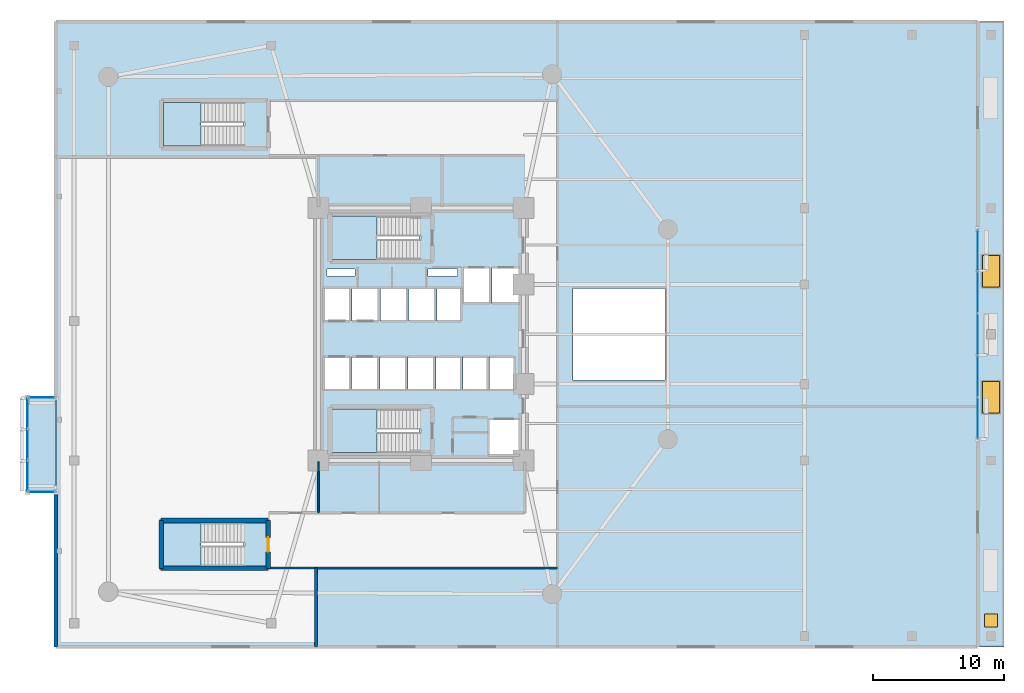
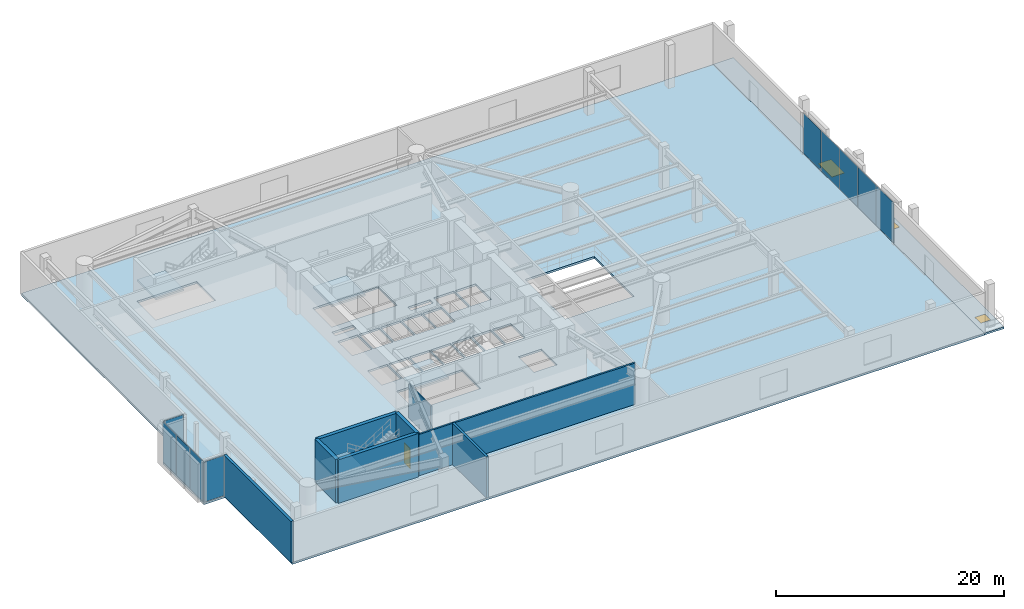
# One storey, part 8 of 16: 10 plates, 8 walls, 7 slabs, 2 doors, 2 windows, 4 openings, 8 elements without a shape of their own.
"""IFC4 building model written with IfcOpenShell, lengths in metres."""

import ifcopenshell
import ifcopenshell.guid

model = None  # the IFC model being written
_history = None  # IfcOwnerHistory: only IFC2X3 demands one
_inside = {}  # id of a spatial element -> (the spatial element, [elements in it])
_under = {}  # id of a project, library or spatial element -> (it, [spatial elements below it])
_declared = {}  # id of a project -> (the project, [libraries it declares])
_typed = {}  # id of a type object -> (the type object, [elements of that type])
_made_of = {}  # id of a material, layer set ... -> (it, [elements and type objects made of it])


def new_model(schema):
    """Start an empty IFC model of exactly this schema.

    Asked for "IFC4X3", IfcOpenShell would pick the latest addendum, in which some entities
    have other attributes; the version numbers below select the first issue.
    IFC2X3 requires an IfcOwnerHistory on every rooted entity: one is made here for all.
    """
    global model, _history
    if schema == "IFC4X3":
        model = ifcopenshell.file(schema_version=(4, 3, 0, 0))
    else:
        model = ifcopenshell.file(schema=schema)
    _inside.clear()
    _under.clear()
    _declared.clear()
    _typed.clear()
    _made_of.clear()
    _history = None
    if model.schema == "IFC2X3":
        org = make("IfcOrganization", Name="unknown")
        user = make(
            "IfcPersonAndOrganization",
            ThePerson=make("IfcPerson", FamilyName="unknown"),
            TheOrganization=org,
        )
        app = make(
            "IfcApplication",
            ApplicationDeveloper=org,
            Version="unknown",
            ApplicationFullName="unknown",
            ApplicationIdentifier="unknown",
        )
        _history = make(
            "IfcOwnerHistory",
            OwningUser=user,
            OwningApplication=app,
            ChangeAction="ADDED",
            CreationDate=0,
        )
    return model


def make(cls, **values):
    """One entity of the class cls with the attributes given. An attribute that is None is left unset."""
    return model.create_entity(
        cls, **{name: value for name, value in values.items() if value is not None}
    )


def rooted(cls, **values):
    """An entity with a GlobalId (a new one), such as an element, a storey or a relation."""
    return make(cls, GlobalId=ifcopenshell.guid.new(), OwnerHistory=_history, **values)


def si_unit(unit_type, name, prefix=None):
    """IfcSIUnit, for example si_unit("LENGTHUNIT", "METRE", prefix="MILLI")."""
    return make("IfcSIUnit", UnitType=unit_type, Prefix=prefix, Name=name)


def assignment(units):
    """IfcUnitAssignment: the units of a project."""
    return None if units is None else make("IfcUnitAssignment", Units=units)


def point(xyz):
    """IfcCartesianPoint."""
    return None if xyz is None else make("IfcCartesianPoint", Coordinates=xyz)


def direction(xyz):
    """IfcDirection."""
    return None if xyz is None else make("IfcDirection", DirectionRatios=xyz)


def frame(location, z_axis=None, x_axis=None):
    """IfcAxis2Placement3D, a coordinate frame: its origin and axes. An axis left out is left unset."""
    return make(
        "IfcAxis2Placement3D",
        Location=point(location),
        Axis=direction(z_axis),
        RefDirection=direction(x_axis),
    )


def frame_2d(location, x_axis=None):
    """IfcAxis2Placement2D, a coordinate frame in the plane: its origin and x axis."""
    return make(
        "IfcAxis2Placement2D", Location=point(location), RefDirection=direction(x_axis)
    )


def origin():
    """The frame at (0, 0, 0) with its axes left unset."""
    return frame((0.0, 0.0, 0.0))


def origin_2d():
    """The frame at (0, 0) in the plane with its x axis left unset."""
    return frame_2d((0.0, 0.0))


def place(relative_to, where):
    """IfcLocalPlacement: puts the frame where relative to a parent placement (None: the world)."""
    return make(
        "IfcLocalPlacement", PlacementRelTo=relative_to, RelativePlacement=where
    )


def context(
    kind, dimensions, precision=None, world=None, true_north=None, identifier=None
):
    """IfcGeometricRepresentationContext, for example the 3D "Model" context."""
    return make(
        "IfcGeometricRepresentationContext",
        ContextIdentifier=identifier,
        ContextType=kind,
        CoordinateSpaceDimension=dimensions,
        Precision=precision,
        WorldCoordinateSystem=world,
        TrueNorth=true_north,
    )


def subcontext(parent, identifier, kind, view, scale=None):
    """IfcGeometricRepresentationSubContext, for example "Body" below "Model"."""
    return make(
        "IfcGeometricRepresentationSubContext",
        ContextIdentifier=identifier,
        ContextType=kind,
        ParentContext=parent,
        TargetScale=scale,
        TargetView=view,
    )


def project(units=None, contexts=None):
    """IfcProject with its units and contexts."""
    return rooted(
        "IfcProject",
        Name="project",
        RepresentationContexts=contexts,
        UnitsInContext=assignment(units),
    )


def spatial(cls, under=None, at=None, **own):
    """A site, building, storey or space (cls), placed at a placement, below another one or the project."""
    s = rooted(cls, ObjectPlacement=at, **own)
    if under is not None:
        _under.setdefault(under.id(), (under, []))[1].append(s)
    return s


def polyline(points):
    """IfcPolyline through the points."""
    return make("IfcPolyline", Points=[point(p) for p in points])


def profile(cls, at=None, kind="AREA", **sizes):
    """A parametric profile (cls). Its sizes go by their IFC names, for example OverallWidth=200.0."""
    return make(cls, ProfileType=kind, Position=at, **sizes)


def rectangle(**sizes):
    """IfcRectangleProfileDef."""
    return profile("IfcRectangleProfileDef", **sizes)


def outline(outer, holes=None, kind="AREA"):
    """IfcArbitraryClosedProfileDef: a profile drawn as a closed curve; with holes, ...WithVoids."""
    if holes is None:
        return make("IfcArbitraryClosedProfileDef", ProfileType=kind, OuterCurve=outer)
    return make(
        "IfcArbitraryProfileDefWithVoids",
        ProfileType=kind,
        OuterCurve=outer,
        InnerCurves=holes,
    )


def extrude(swept, where, along, depth):
    """IfcExtrudedAreaSolid: the profile swept, set in the frame where, extruded along a direction by depth."""
    return make(
        "IfcExtrudedAreaSolid",
        SweptArea=swept,
        Position=where,
        ExtrudedDirection=direction(along),
        Depth=depth,
    )


def shape(context_of_items, identifier, shape_type, items):
    """IfcShapeRepresentation: the items that make up one representation, for example the "Body"."""
    return make(
        "IfcShapeRepresentation",
        ContextOfItems=context_of_items,
        RepresentationIdentifier=identifier,
        RepresentationType=shape_type,
        Items=items,
    )


def material(Name=None, Category=None):
    """IfcMaterial."""
    return make("IfcMaterial", Name=Name, Category=Category)


def layer(
    of_material, thickness, ventilated=None, Name=None, Category=None, Priority=None
):
    """IfcMaterialLayer: one layer of a wall or slab, of a material (None: an air gap)."""
    return make(
        "IfcMaterialLayer",
        Material=of_material,
        LayerThickness=thickness,
        IsVentilated=ventilated,
        Name=Name,
        Category=Category,
        Priority=Priority,
    )


def layer_set(layers, Name=None):
    """IfcMaterialLayerSet."""
    return make("IfcMaterialLayerSet", MaterialLayers=layers, LayerSetName=Name)


def made_of(thing, what):
    """Note that an element or type object is made of a material, layer set ...; save() writes the relation."""
    if what is not None:
        _made_of.setdefault(what.id(), (what, []))[1].append(thing)
    return thing


def type_object(cls, material=None, **own):
    """A type object (cls), such as IfcWallType, which elements share."""
    return made_of(rooted(cls, **own), material)


def element(
    cls,
    number,
    at=None,
    inside=None,
    cuts=None,
    type_object=None,
    material=None,
    context=None,
    identifier="Body",
    shape_type=None,
    held_by="IfcProductDefinitionShape",
    body=None,
    shapes=None,
    **own,
):
    """One element of the class cls, such as IfcWall. Its Tag is "e" and its number.

    at: its placement. inside: the storey or other place that contains it. cuts: it is an
    opening in that element (IfcRelVoidsElement). A single representation is given by context,
    identifier, shape_type and body (its items); several are given by shapes. held_by: the class
    of the entity that holds the representations. save() writes the other relations.
    """
    e = rooted(cls, Tag="e%d" % number, ObjectPlacement=at, **own)
    if body is not None:
        shapes = [shape(context, identifier, shape_type, body)]
    if shapes is not None:
        e.Representation = make(held_by, Representations=shapes)
    if inside is not None:
        _inside.setdefault(inside.id(), (inside, []))[1].append(e)
    if cuts is not None:
        rooted(
            "IfcRelVoidsElement", RelatingBuildingElement=cuts, RelatedOpeningElement=e
        )
    if type_object is not None:
        _typed.setdefault(type_object.id(), (type_object, []))[1].append(e)
    return made_of(e, material)


def fill(opening, filler):
    """IfcRelFillsElement: the door or window that sits in an opening."""
    return rooted(
        "IfcRelFillsElement",
        RelatingOpeningElement=opening,
        RelatedBuildingElement=filler,
    )


def aggregate(whole, parts):
    """IfcRelAggregates: a whole, such as a stair, and the parts it consists of."""
    return rooted("IfcRelAggregates", RelatingObject=whole, RelatedObjects=parts)


def save(model, path):
    """Write the relations noted so far, then the file.

    IfcRelAggregates (storeys below a building ...), IfcRelContainedInSpatialStructure (elements
    in a storey), IfcRelDefinesByType, IfcRelAssociatesMaterial and IfcRelDeclares: one each for
    every whole, place, type object, material and project.
    """
    for whole, parts in _under.values():
        aggregate(whole, parts)
    for where, things in _inside.values():
        rooted(
            "IfcRelContainedInSpatialStructure",
            RelatedElements=things,
            RelatingStructure=where,
        )
    for kind, things in _typed.values():
        rooted("IfcRelDefinesByType", RelatedObjects=things, RelatingType=kind)
    for what, things in _made_of.values():
        rooted("IfcRelAssociatesMaterial", RelatedObjects=things, RelatingMaterial=what)
    for by, libraries in _declared.values():
        rooted("IfcRelDeclares", RelatingContext=by, RelatedDefinitions=libraries)
    model.write(path)


model = new_model("IFC4")

# Units and contexts
model_context = context("Model", 3, precision=1e-05, world=origin(), true_north=direction((0.0, 1.0)))
body_context = subcontext(model_context, "Body", "Model", "MODEL_VIEW")
ifc_project = project(units=[si_unit("LENGTHUNIT", "METRE"), si_unit("AREAUNIT", "SQUARE_METRE"), si_unit("VOLUMEUNIT", "CUBIC_METRE"), si_unit("PLANEANGLEUNIT", "RADIAN"), si_unit("MASSUNIT", "GRAM", prefix="KILO")], contexts=[model_context])

# Site, building, storey
site_placement = place(None, origin())
site = spatial("IfcSite", under=ifc_project, at=site_placement, CompositionType="ELEMENT")
building_placement = place(site_placement, origin())
building = spatial("IfcBuilding", under=site, at=building_placement, Name="An Khanh Terracotta Commons", CompositionType="ELEMENT")
storey_placement = place(building_placement, frame((0.0, 0.0, 5.39990234375)))
storey = spatial("IfcBuildingStorey", under=building, at=storey_placement, Name="L02", CompositionType="ELEMENT", Elevation=5.39990234375)

# Curtain wall, plates
ifc_material_1 = material(Name="Anodised Aluminium 6063-T6", Category="aluminium")
ifc_layer_1 = layer(ifc_material_1, 0.179931640625, Name="Anodised Aluminium 6063-T6")
ifc_layer_set_1 = layer_set([ifc_layer_1], Name="Anodised Aluminium 6063-T6")
curtain_wall_type_1 = type_object("IfcCurtainWallType", Name="CW-SYS-01", PredefinedType="USERDEFINED", material=ifc_layer_set_1)
curtain_wall_1_placement = place(storey_placement, origin())
curtain_wall_1 = element("IfcCurtainWall", 1, at=curtain_wall_1_placement, inside=storey, type_object=curtain_wall_type_1, Name="L02 CW-01 Unitised Curtain Wall CW-L02-EAST", ObjectType="UNITISED CURTAIN WALL", PredefinedType="USERDEFINED")
ifc_material_2 = material(Name="Double Low-E Podium Glazing", Category="glass")
ifc_layer_2 = layer(ifc_material_2, 0.031982421875, Name="Double Low-E Podium Glazing")
ifc_layer_set_2 = layer_set([ifc_layer_2], Name="Double Low-E Podium Glazing")
plate_type_1 = type_object("IfcPlateType", Name="CWP-IGU-32", PredefinedType="CURTAIN_PANEL", material=ifc_layer_set_2)
plate_1_placement = place(storey_placement, frame((71.800048828125, 17.6162109375, 0.06005859375), z_axis=(0.0, 0.0, 1.0), x_axis=(0.0, 1.0, 0.0)))
plate_1 = element("IfcPlate", 2, at=plate_1_placement, type_object=plate_type_1, Name="CW-01 panel 1.1", PredefinedType="CURTAIN_PANEL", context=body_context, shape_type="SweptSolid", body=[
    extrude(rectangle(XDim=3.1025390625, YDim=0.031982421875, at=origin_2d()), origin(), (0.0, 0.0, 1.0), 4.31005859375),
])
plate_2_placement = place(storey_placement, frame((71.800048828125, 20.800048828125, 0.06005859375), z_axis=(0.0, 0.0, 1.0), x_axis=(0.0, 1.0, 0.0)))
plate_2 = element("IfcPlate", 3, at=plate_2_placement, type_object=plate_type_1, Name="CW-01 panel 2.1", PredefinedType="CURTAIN_PANEL", context=body_context, shape_type="SweptSolid", body=[
    extrude(rectangle(XDim=3.135009765625, YDim=0.031982421875, at=origin_2d()), origin(), (0.0, 0.0, 1.0), 4.31005859375),
])
plate_3_placement = place(storey_placement, frame((71.800048828125, 24.0, 0.06005859375), z_axis=(0.0, 0.0, 1.0), x_axis=(0.0, 1.0, 0.0)))
plate_3 = element("IfcPlate", 4, at=plate_3_placement, type_object=plate_type_1, Name="CW-01 panel 3.1", PredefinedType="CURTAIN_PANEL", context=body_context, shape_type="SweptSolid", body=[
    extrude(rectangle(XDim=3.135009765625, YDim=0.031982421875, at=origin_2d()), origin(), (0.0, 0.0, 1.0), 4.31005859375),
])
plate_4_placement = place(storey_placement, frame((71.800048828125, 27.199951171875, 0.06005859375), z_axis=(0.0, 0.0, 1.0), x_axis=(0.0, 1.0, 0.0)))
plate_4 = element("IfcPlate", 5, at=plate_4_placement, type_object=plate_type_1, Name="CW-01 panel 4.1", PredefinedType="CURTAIN_PANEL", context=body_context, shape_type="SweptSolid", body=[
    extrude(rectangle(XDim=3.135009765625, YDim=0.031982421875, at=origin_2d()), origin(), (0.0, 0.0, 1.0), 4.31005859375),
])
plate_5_placement = place(storey_placement, frame((71.800048828125, 30.3837890625, 0.06005859375), z_axis=(0.0, 0.0, 1.0), x_axis=(0.0, 1.0, 0.0)))
plate_5 = element("IfcPlate", 6, at=plate_5_placement, type_object=plate_type_1, Name="CW-01 panel 5.1", PredefinedType="CURTAIN_PANEL", context=body_context, shape_type="SweptSolid", body=[
    extrude(rectangle(XDim=3.1025390625, YDim=0.031982421875, at=origin_2d()), origin(), (0.0, 0.0, 1.0), 4.31005859375),
])
aggregate(curtain_wall_1, [plate_1, plate_2, plate_3, plate_4, plate_5])

ifc_layer_3 = layer(ifc_material_1, 0.239990234375, Name="Anodised Aluminium 6063-T6")
ifc_layer_set_3 = layer_set([ifc_layer_3], Name="Anodised Aluminium 6063-T6")
curtain_wall_type_2 = type_object("IfcCurtainWallType", Name="CW-SYS-04", PredefinedType="USERDEFINED", material=ifc_layer_set_3)
curtain_wall_2_placement = place(storey_placement, origin())
curtain_wall_2 = element("IfcCurtainWall", 7, at=curtain_wall_2_placement, inside=storey, type_object=curtain_wall_type_2, Name="L02 CW-04 Unitised Curtain Wall CW-L02-WBOX-1", ObjectType="UNITISED CURTAIN WALL", PredefinedType="USERDEFINED")
ifc_material_3 = material(Name="Triple-Silver Sky-Lobby Glazing", Category="glass")
ifc_layer_4 = layer(ifc_material_3, 0.0400390625, Name="Triple-Silver Sky-Lobby Glazing")
ifc_layer_set_4 = layer_set([ifc_layer_4], Name="Triple-Silver Sky-Lobby Glazing")
plate_type_2 = type_object("IfcPlateType", Name="CWP-IGU-40", PredefinedType="CURTAIN_PANEL", material=ifc_layer_set_4)
plate_6_placement = place(storey_placement, frame((-0.550048828125, 17.97998046875, 0.06005859375), z_axis=(0.0, 0.0, 1.0), x_axis=(0.0, -1.0, 0.0)))
plate_6 = element("IfcPlate", 8, at=plate_6_placement, type_object=plate_type_2, Name="CW-04 panel 1.1", PredefinedType="CURTAIN_PANEL", context=body_context, shape_type="SweptSolid", body=[
    extrude(rectangle(XDim=2.280029296875, YDim=0.0400390625, at=origin_2d()), origin(), (0.0, 0.0, 1.0), 4.31005859375),
])
plate_7_placement = place(storey_placement, frame((-0.550048828125, 15.60009765625, 0.06005859375), z_axis=(0.0, 0.0, 1.0), x_axis=(0.0, -1.0, 0.0)))
plate_7 = element("IfcPlate", 9, at=plate_7_placement, type_object=plate_type_2, Name="CW-04 panel 2.1", PredefinedType="CURTAIN_PANEL", context=body_context, shape_type="SweptSolid", body=[
    extrude(rectangle(XDim=2.320068359375, YDim=0.0400390625, at=origin_2d()), origin(), (0.0, 0.0, 1.0), 4.31005859375),
])
plate_8_placement = place(storey_placement, frame((-0.550048828125, 13.219970703125, 0.06005859375), z_axis=(0.0, 0.0, 1.0), x_axis=(0.0, -1.0, 0.0)))
plate_8 = element("IfcPlate", 10, at=plate_8_placement, type_object=plate_type_2, Name="CW-04 panel 3.1", PredefinedType="CURTAIN_PANEL", context=body_context, shape_type="SweptSolid", body=[
    extrude(rectangle(XDim=2.280029296875, YDim=0.0400390625, at=origin_2d()), origin(), (0.0, 0.0, 1.0), 4.31005859375),
])
aggregate(curtain_wall_2, [plate_6, plate_7, plate_8])

# Curtain wall, plate
curtain_wall_3_placement = place(storey_placement, origin())
curtain_wall_3 = element("IfcCurtainWall", 11, at=curtain_wall_3_placement, inside=storey, type_object=curtain_wall_type_2, Name="L02 CW-04 Unitised Curtain Wall CW-L02-WBOX-2", ObjectType="UNITISED CURTAIN WALL", PredefinedType="USERDEFINED")
plate_9_placement = place(storey_placement, frame((0.52490234375, 12.0, 0.06005859375), z_axis=(0.0, 0.0, 1.0), x_axis=(-1.0, 0.0, 0.0)))
plate_9 = element("IfcPlate", 12, at=plate_9_placement, type_object=plate_type_2, Name="CW-04 panel 1.1", PredefinedType="CURTAIN_PANEL", context=body_context, shape_type="SweptSolid", body=[
    extrude(rectangle(XDim=1.989990234375, YDim=0.0400390625, at=origin_2d()), origin(), (0.0, 0.0, 1.0), 4.31005859375),
])
aggregate(curtain_wall_3, [plate_9])

curtain_wall_4_placement = place(storey_placement, origin())
curtain_wall_4 = element("IfcCurtainWall", 13, at=curtain_wall_4_placement, inside=storey, type_object=curtain_wall_type_2, Name="L02 CW-04 Unitised Curtain Wall CW-L02-WBOX-3", ObjectType="UNITISED CURTAIN WALL", PredefinedType="USERDEFINED")
plate_10_placement = place(storey_placement, frame((0.52490234375, 19.199951171875, 0.06005859375), z_axis=(0.0, 0.0, 1.0), x_axis=(1.0, 0.0, 0.0)))
plate_10 = element("IfcPlate", 14, at=plate_10_placement, type_object=plate_type_2, Name="CW-04 panel 1.1", PredefinedType="CURTAIN_PANEL", context=body_context, shape_type="SweptSolid", body=[
    extrude(rectangle(XDim=1.989990234375, YDim=0.0400390625, at=origin_2d()), origin(), (0.0, 0.0, 1.0), 4.31005859375),
])
aggregate(curtain_wall_4, [plate_10])

# Stair, slab
ifc_material_4 = material(Name="Precast concrete C40/50", Category="concrete")
stair_type_1 = type_object("IfcStairType", Name="STAIR-CORE-1550", PredefinedType="HALF_TURN_STAIR", material=ifc_material_4)
stair_1_placement = place(storey_placement, origin())
stair_1 = element("IfcStair", 15, at=stair_1_placement, inside=storey, type_object=stair_type_1, Name="L02 Core Smokeproof Exit Stair ST-01", PredefinedType="HALF_TURN_STAIR")
ifc_material_5 = material(Name="Concrete C40/50", Category="concrete")
ifc_layer_5 = layer(ifc_material_5, 0.18994140625, Name="Concrete C40/50")
ifc_layer_set_5 = layer_set([ifc_layer_5], Name="Concrete C40/50")
slab_type_1 = type_object("IfcSlabType", Name="SLAB-LANDING-190", PredefinedType="LANDING", material=ifc_layer_set_5)
slab_1_placement = place(storey_placement, frame((0.0, 0.0, 2.125)))
slab_1 = element("IfcSlab", 16, at=slab_1_placement, type_object=slab_type_1, Name="ST-01 landing 1", PredefinedType="LANDING", context=body_context, shape_type="SweptSolid", body=[
    extrude(outline(polyline([(26.050048828125, 33.0), (22.64990234375, 33.0), (22.64990234375, 29.699951171875), (26.050048828125, 29.699951171875), (26.050048828125, 33.0)])), origin(), (0.0, 0.0, 1.0), 0.2001953125),
])
aggregate(stair_1, [slab_1])

stair_2_placement = place(storey_placement, origin())
stair_2 = element("IfcStair", 17, at=stair_2_placement, inside=storey, type_object=stair_type_1, Name="L02 Core Smokeproof Exit Stair ST-02", PredefinedType="HALF_TURN_STAIR")
slab_2_placement = place(storey_placement, frame((0.0, 0.0, 2.125)))
slab_2 = element("IfcSlab", 18, at=slab_2_placement, type_object=slab_type_1, Name="ST-02 landing 1", PredefinedType="LANDING", context=body_context, shape_type="SweptSolid", body=[
    extrude(outline(polyline([(26.050048828125, 18.300048828125), (22.64990234375, 18.300048828125), (22.64990234375, 15.0), (26.050048828125, 15.0), (26.050048828125, 18.300048828125)])), origin(), (0.0, 0.0, 1.0), 0.2001953125),
])
aggregate(stair_2, [slab_2])

stair_type_2 = type_object("IfcStairType", Name="STAIR-POD-1550", PredefinedType="HALF_TURN_STAIR", material=ifc_material_5)
stair_3_placement = place(storey_placement, origin())
stair_3 = element("IfcStair", 19, at=stair_3_placement, inside=storey, type_object=stair_type_2, Name="L02 Podium Commons Exit Stair ST-P1", PredefinedType="HALF_TURN_STAIR")
slab_3_placement = place(storey_placement, frame((0.0, 0.0, 2.125)))
slab_3 = element("IfcSlab", 20, at=slab_3_placement, type_object=slab_type_1, Name="ST-P1 landing 1", PredefinedType="LANDING", context=body_context, shape_type="SweptSolid", body=[
    extrude(outline(polyline([(12.639892578125, 9.64990234375), (9.800048828125, 9.64990234375), (9.800048828125, 6.35009765625), (12.639892578125, 6.35009765625), (12.639892578125, 9.64990234375)])), origin(), (0.0, 0.0, 1.0), 0.2001953125),
])
aggregate(stair_3, [slab_3])

stair_4_placement = place(storey_placement, origin())
stair_4 = element("IfcStair", 21, at=stair_4_placement, inside=storey, type_object=stair_type_2, Name="L02 Podium Commons Exit Stair ST-P2", PredefinedType="HALF_TURN_STAIR")
slab_4_placement = place(storey_placement, frame((0.0, 0.0, 2.125)))
slab_4 = element("IfcSlab", 22, at=slab_4_placement, type_object=slab_type_1, Name="ST-P2 landing 1", PredefinedType="LANDING", context=body_context, shape_type="SweptSolid", body=[
    extrude(outline(polyline([(12.639892578125, 41.64990234375), (9.800048828125, 41.64990234375), (9.800048828125, 38.35009765625), (12.639892578125, 38.35009765625), (12.639892578125, 41.64990234375)])), origin(), (0.0, 0.0, 1.0), 0.2001953125),
])
aggregate(stair_4, [slab_4])

# Slabs
ifc_layer_6 = layer(ifc_material_5, 0.219970703125, Name="Concrete C40/50")
ifc_layer_set_6 = layer_set([ifc_layer_6], Name="Concrete C40/50")
slab_type_2 = type_object("IfcSlabType", Name="SLAB-POD-220", PredefinedType="FLOOR", material=ifc_layer_set_6)
slab_5_placement = place(storey_placement, frame((0.0, 0.0, -0.219970703125)))
element("IfcSlab", 23, at=slab_5_placement, inside=storey, type_object=slab_type_2, Name="L02 Structural Floor Slab", PredefinedType="FLOOR", context=body_context, shape_type="SweptSolid", body=[
    extrude(outline(polyline([(1.60009765625, 0.199951171875), (71.800048828125, 0.199951171875), (71.800048828125, 47.800048828125), (1.60009765625, 47.800048828125), (1.60009765625, 0.199951171875)]), holes=[polyline([(22.64990234375, 29.699951171875), (29.27001953125, 29.699951171875), (29.27001953125, 33.0), (22.64990234375, 33.0), (22.64990234375, 29.699951171875)]), polyline([(22.64990234375, 15.0), (29.27001953125, 15.0), (29.27001953125, 18.300048828125), (22.64990234375, 18.300048828125), (22.64990234375, 15.0)]), polyline([(9.800048828125, 6.35009765625), (15.860107421875, 6.35009765625), (15.860107421875, 9.64990234375), (9.800048828125, 9.64990234375), (9.800048828125, 6.35009765625)]), polyline([(9.800048828125, 38.35009765625), (15.860107421875, 38.35009765625), (15.860107421875, 41.64990234375), (9.800048828125, 41.64990234375), (9.800048828125, 38.35009765625)]), polyline([(32.60009765625, 26.35009765625), (34.679931640625, 26.35009765625), (34.679931640625, 29.080078125), (32.60009765625, 29.080078125), (32.60009765625, 26.35009765625)]), polyline([(34.820068359375, 26.35009765625), (36.89990234375, 26.35009765625), (36.89990234375, 29.080078125), (34.820068359375, 29.080078125), (34.820068359375, 26.35009765625)]), polyline([(34.550048828125, 14.800048828125), (36.89990234375, 14.800048828125), (36.89990234375, 17.550048828125), (34.550048828125, 17.550048828125), (34.550048828125, 14.800048828125)]), polyline([(22.0, 25.0), (24.02001953125, 25.0), (24.02001953125, 27.5), (22.0, 27.5), (22.0, 25.0)]), polyline([(24.159912109375, 25.0), (26.179931640625, 25.0), (26.179931640625, 27.5), (24.159912109375, 27.5), (24.159912109375, 25.0)]), polyline([(22.0, 19.800048828125), (24.0, 19.800048828125), (24.0, 22.300048828125), (22.0, 22.300048828125), (22.0, 19.800048828125)]), polyline([(24.139892578125, 19.800048828125), (26.139892578125, 19.800048828125), (26.139892578125, 22.300048828125), (24.139892578125, 22.300048828125), (24.139892578125, 19.800048828125)]), polyline([(26.320068359375, 25.0), (28.340087890625, 25.0), (28.340087890625, 27.5), (26.320068359375, 27.5), (26.320068359375, 25.0)]), polyline([(28.47998046875, 25.0), (30.5, 25.0), (30.5, 27.5), (28.47998046875, 27.5), (28.47998046875, 25.0)]), polyline([(26.280029296875, 19.800048828125), (28.280029296875, 19.800048828125), (28.280029296875, 22.300048828125), (26.280029296875, 22.300048828125), (26.280029296875, 19.800048828125)]), polyline([(28.419921875, 19.800048828125), (30.419921875, 19.800048828125), (30.419921875, 22.300048828125), (28.419921875, 22.300048828125), (28.419921875, 19.800048828125)]), polyline([(30.639892578125, 25.0), (32.4599609375, 25.0), (32.4599609375, 27.5), (30.639892578125, 27.5), (30.639892578125, 25.0)]), polyline([(30.56005859375, 19.800048828125), (32.4599609375, 19.800048828125), (32.4599609375, 22.300048828125), (30.56005859375, 22.300048828125), (30.56005859375, 19.800048828125)]), polyline([(32.60009765625, 19.800048828125), (34.5, 19.800048828125), (34.5, 22.300048828125), (32.60009765625, 22.300048828125), (32.60009765625, 19.800048828125)]), polyline([(34.639892578125, 19.800048828125), (36.5400390625, 19.800048828125), (36.5400390625, 22.300048828125), (34.639892578125, 22.300048828125), (34.639892578125, 19.800048828125)]), polyline([(22.25, 28.419921875), (24.39990234375, 28.419921875), (24.39990234375, 28.97998046875), (22.25, 28.97998046875), (22.25, 28.419921875)]), polyline([(29.949951171875, 28.419921875), (32.199951171875, 28.419921875), (32.199951171875, 28.97998046875), (29.949951171875, 28.97998046875), (29.949951171875, 28.419921875)]), polyline([(41.0, 20.5), (48.0, 20.5), (48.0, 27.5), (41.0, 27.5), (41.0, 20.5)])]), origin(), (0.0, 0.0, 1.0), 0.219970703125),
])
slab_6_placement = place(storey_placement, frame((0.0, 0.0, -0.219970703125)))
element("IfcSlab", 24, at=slab_6_placement, inside=storey, type_object=slab_type_2, Name="L02 Shifted Social Kitchen Box Floor Slab", PredefinedType="FLOOR", context=body_context, shape_type="SweptSolid", body=[
    extrude(outline(polyline([(-0.550048828125, 12.0), (1.60009765625, 12.0), (1.60009765625, 19.199951171875), (-0.550048828125, 19.199951171875), (-0.550048828125, 12.0)])), origin(), (0.0, 0.0, 1.0), 0.219970703125),
])

# Slab, openings, door, windows
ifc_layer_7 = layer(ifc_material_5, 0.2099609375, Name="Concrete C40/50")
ifc_layer_set_7 = layer_set([ifc_layer_7], Name="Concrete C40/50")
slab_type_3 = type_object("IfcSlabType", Name="SLAB-TERR-210", PredefinedType="ROOF", material=ifc_layer_set_7)
slab_7_placement = place(storey_placement, frame((0.0, 0.0, -0.2099609375)))
slab_7 = element("IfcSlab", 25, at=slab_7_placement, inside=storey, type_object=slab_type_3, Name="L02 Cascading Garden Terrace Roof Slab", PredefinedType="ROOF", context=body_context, shape_type="SweptSolid", body=[
    extrude(outline(polyline([(71.800048828125, 0.199951171875), (73.800048828125, 0.199951171875), (73.800048828125, 47.800048828125), (71.800048828125, 47.800048828125), (71.800048828125, 0.199951171875)])), origin(), (0.0, 0.0, 1.0), 0.2099609375),
])
opening_1_placement = place(slab_7_placement, frame((72.800048828125, 19.199951171875, 0.0)))
opening_1 = element("IfcOpeningElement", 26, at=opening_1_placement, cuts=slab_7, Name="Opening SK-01", PredefinedType="OPENING", context=body_context, shape_type="SweptSolid", body=[
    extrude(rectangle(XDim=1.300048828125, YDim=2.39990234375, at=origin_2d()), frame((0.0, 0.0, -0.010009765625)), (0.0, 0.0, 1.0), 0.22998046875),
])
opening_2_placement = place(slab_7_placement, frame((72.800048828125, 28.800048828125, 0.0)))
opening_2 = element("IfcOpeningElement", 27, at=opening_2_placement, cuts=slab_7, Name="Opening SK-01", PredefinedType="OPENING", context=body_context, shape_type="SweptSolid", body=[
    extrude(rectangle(XDim=1.300048828125, YDim=2.39990234375, at=origin_2d()), frame((0.0, 0.0, -0.010009765625)), (0.0, 0.0, 1.0), 0.22998046875),
])
opening_3_placement = place(slab_7_placement, frame((72.800048828125, 2.199951171875, 0.0)))
opening_3 = element("IfcOpeningElement", 28, at=opening_3_placement, cuts=slab_7, Name="Opening RH-01", PredefinedType="OPENING", context=body_context, shape_type="SweptSolid", body=[
    extrude(rectangle(XDim=1.0, YDim=1.0, at=origin_2d()), frame((0.0, 0.0, -0.010009765625)), (0.0, 0.0, 1.0), 0.22998046875),
])
ifc_material_6 = material(Name="Insulated Marine-Grade Aluminium", Category="aluminium")
door_type_1 = type_object("IfcDoorType", Name="HATCH-ROOF-1000", OperationType="NOTDEFINED", PredefinedType="TRAPDOOR", material=ifc_material_6)
door_1_placement = place(opening_3_placement, frame((0.0, 0.0, 0.159912109375)))
door_1 = element("IfcDoor", 29, at=door_1_placement, inside=storey, type_object=door_type_1, Name="L02 Terrace Services Access Hatch", OperationType="SINGLE_SWING_LEFT", OverallHeight=1.0, OverallWidth=1.0, PredefinedType="TRAPDOOR", context=body_context, shape_type="SweptSolid", body=[
    extrude(rectangle(XDim=1.0, YDim=1.0, at=origin_2d()), origin(), (0.0, 0.0, 1.0), 0.050048828125),
])
fill(opening_3, door_1)
ifc_material_7 = material(Name="Laminated Solar-Control Skylight Glazing", Category="glass")
window_type = type_object("IfcWindowType", Name="SKY-2400x2400", PartitioningType="SINGLE_PANEL", PredefinedType="SKYLIGHT", material=ifc_material_7)
window_1_placement = place(opening_1_placement, frame((0.0, 0.0, 0.159912109375)))
window_1 = element("IfcWindow", 30, at=window_1_placement, inside=storey, type_object=window_type, Name="L02 Cascading Terrace Rooflight 1", OverallHeight=2.39990234375, OverallWidth=1.300048828125, PartitioningType="SINGLE_PANEL", PredefinedType="SKYLIGHT", context=body_context, shape_type="SweptSolid", body=[
    extrude(rectangle(XDim=1.300048828125, YDim=2.39990234375, at=origin_2d()), origin(), (0.0, 0.0, 1.0), 0.050048828125),
])
fill(opening_1, window_1)
window_2_placement = place(opening_2_placement, frame((0.0, 0.0, 0.159912109375)))
window_2 = element("IfcWindow", 31, at=window_2_placement, inside=storey, type_object=window_type, Name="L02 Cascading Terrace Rooflight 2", OverallHeight=2.39990234375, OverallWidth=1.300048828125, PartitioningType="SINGLE_PANEL", PredefinedType="SKYLIGHT", context=body_context, shape_type="SweptSolid", body=[
    extrude(rectangle(XDim=1.300048828125, YDim=2.39990234375, at=origin_2d()), origin(), (0.0, 0.0, 1.0), 0.050048828125),
])
fill(opening_2, window_2)

# Walls
ifc_material_8 = material(Name="Fire-Rated Gypsum Board on Steel Stud", Category="steel")
ifc_layer_8 = layer(ifc_material_8, 0.179931640625, Name="Fire-Rated Gypsum Board on Steel Stud")
ifc_layer_set_8 = layer_set([ifc_layer_8], Name="Fire-Rated Gypsum Board on Steel Stud")
wall_type_1 = type_object("IfcWallType", Name="WALL-CORR-180", PredefinedType="PARTITIONING", material=ifc_layer_set_8)
wall_1_placement = place(storey_placement, frame((17.889892578125, 6.199951171875, 0.0), z_axis=(0.0, 0.0, 1.0), x_axis=(1.0, 0.0, 0.0)))
element("IfcWall", 32, at=wall_1_placement, inside=storey, type_object=wall_type_1, Name="L02 Interior Partition IW-L02-E001", PredefinedType="PARTITIONING", context=body_context, shape_type="SweptSolid", body=[
    extrude(rectangle(XDim=21.91015625, YDim=0.179931640625, at=frame_2d((10.955078125, 0.0))), origin(), (0.0, 0.0, 1.0), 4.43017578125),
])
ifc_material_9 = material(Name="Acoustic Double-Stud Gypsum and Mineral Wool")
ifc_layer_9 = layer(ifc_material_9, 0.219970703125, Name="Acoustic Double-Stud Gypsum and Mineral Wool")
ifc_layer_set_9 = layer_set([ifc_layer_9], Name="Acoustic Double-Stud Gypsum and Mineral Wool")
wall_type_2 = type_object("IfcWallType", Name="WALL-PARTY-220", PredefinedType="PARTITIONING", material=ifc_layer_set_9)
wall_2_placement = place(storey_placement, frame((21.39990234375, 0.199951171875, 0.0), z_axis=(0.0, 0.0, 1.0), x_axis=(0.0, 1.0, 0.0)))
element("IfcWall", 33, at=wall_2_placement, inside=storey, type_object=wall_type_2, Name="L02 Interior Partition IW-L02-E007", PredefinedType="PARTITIONING", context=body_context, shape_type="SweptSolid", body=[
    extrude(rectangle(XDim=6.0, YDim=0.219970703125, at=frame_2d((3.0, 0.0))), origin(), (0.0, 0.0, 1.0), 4.43017578125),
])
ifc_layer_10 = layer(ifc_material_5, 0.260009765625, Name="Concrete C40/50")
ifc_layer_set_10 = layer_set([ifc_layer_10], Name="Concrete C40/50")
wall_type_3 = type_object("IfcWallType", Name="WALL-POD-260", PredefinedType="SOLIDWALL", material=ifc_layer_set_10)
wall_3_placement = place(storey_placement, frame((1.60009765625, 0.199951171875, 0.0), z_axis=(0.0, 0.0, 1.0), x_axis=(0.0, 1.0, 0.0)))
element("IfcWall", 34, at=wall_3_placement, inside=storey, type_object=wall_type_3, Name="L02 West Exterior Wall South", PredefinedType="SOLIDWALL", context=body_context, shape_type="SweptSolid", body=[
    extrude(rectangle(XDim=11.800048828125, YDim=0.260009765625, at=frame_2d((5.89990234375, 0.0))), origin(), (0.0, 0.0, 1.0), 4.43017578125),
])
ifc_material_10 = material(Name="Concrete C50/60", Category="concrete")
ifc_layer_11 = layer(ifc_material_10, 0.35009765625, Name="Concrete C50/60")
ifc_layer_set_11 = layer_set([ifc_layer_11], Name="Concrete C50/60")
wall_type_4 = type_object("IfcWallType", Name="WALL-SHAFT-350", PredefinedType="SOLIDWALL", material=ifc_layer_set_11)
wall_4_placement = place(storey_placement, frame((9.6298828125, 6.179931640625, 0.0), z_axis=(0.0, 0.0, 1.0), x_axis=(0.0, 1.0, 0.0)))
element("IfcWall", 35, at=wall_4_placement, inside=storey, type_object=wall_type_4, Name="L02 Podium Stair ST-P1 W Wall", PredefinedType="SOLIDWALL", context=body_context, shape_type="SweptSolid", body=[
    extrude(rectangle(XDim=3.64013671875, YDim=0.35009765625, at=frame_2d((1.820068359375, 0.0))), origin(), (0.0, 0.0, 1.0), 4.650146484375),
])
for number, where, z_axis, x_axis, name in (
    (36, (9.6298828125, 9.820068359375, 0.0), (0.0, 0.0, 1.0), (1.0, 0.0, 0.0), "L02 Podium Stair ST-P1 N Wall"),
    (37, (17.77001953125, 6.179931640625, 0.0), (0.0, 0.0, 1.0), (-1.0, 0.0, 0.0), "L02 Podium Stair ST-P1 S Wall"),
):
    element("IfcWall", number, at=place(storey_placement, frame(where, z_axis=z_axis, x_axis=x_axis)), inside=storey, type_object=wall_type_4, Name=name, PredefinedType="SOLIDWALL", context=body_context, shape_type="SweptSolid", body=[
        extrude(rectangle(XDim=8.14013671875, YDim=0.35009765625, at=frame_2d((4.070068359375, 0.0))), origin(), (0.0, 0.0, 1.0), 4.650146484375),
    ])

# Wall, opening, door
wall_5_placement = place(storey_placement, frame((17.77001953125, 6.179931640625, 0.0), z_axis=(0.0, 0.0, 1.0), x_axis=(0.0, 1.0, 0.0)))
wall_5 = element("IfcWall", 38, at=wall_5_placement, inside=storey, type_object=wall_type_4, Name="L02 Podium Stair ST-P1 E Wall", PredefinedType="SOLIDWALL", context=body_context, shape_type="SweptSolid", body=[
    extrude(rectangle(XDim=3.64013671875, YDim=0.35009765625, at=frame_2d((1.820068359375, 0.0))), origin(), (0.0, 0.0, 1.0), 4.650146484375),
])
opening_4_placement = place(wall_5_placement, frame((1.25, 0.0, 0.0)))
opening_4 = element("IfcOpeningElement", 39, at=opening_4_placement, cuts=wall_5, Name="Opening D-ST", PredefinedType="OPENING", context=body_context, shape_type="SweptSolid", body=[
    extrude(rectangle(XDim=1.10009765625, YDim=2.14990234375, at=frame_2d((0.550048828125, 1.074951171875))), frame((0.0, 0.18505859375, 0.0), z_axis=(0.0, -1.0, 0.0), x_axis=(1.0, 0.0, 0.0)), (0.0, 0.0, 1.0), 0.3701171875),
])
ifc_material_11 = material(Name="Fire-Rated Steel Leaf and Frame", Category="steel")
door_type_2 = type_object("IfcDoorType", Name="DOOR-STAIR-1100", OperationType="NOTDEFINED", PredefinedType="DOOR", material=ifc_material_11)
door_2_placement = place(opening_4_placement, origin())
door_2 = element("IfcDoor", 40, at=door_2_placement, inside=storey, type_object=door_type_2, Name="L02 Podium Stair ST-P1 Fire Door", OperationType="SINGLE_SWING_LEFT", OverallHeight=2.14990234375, OverallWidth=1.10009765625, PredefinedType="DOOR", context=body_context, shape_type="SweptSolid", body=[
    extrude(rectangle(XDim=1.10009765625, YDim=2.14990234375, at=frame_2d((0.550048828125, 1.074951171875))), frame((0.0, 0.02490234375, 0.0), z_axis=(0.0, -1.0, 0.0), x_axis=(1.0, 0.0, 0.0)), (0.0, 0.0, 1.0), 0.050048828125),
])
fill(opening_4, door_2)

# Wall
ifc_material_12 = material(Name="Moisture-Resistant Cement Board Partition")
ifc_layer_12 = layer(ifc_material_12, 0.1201171875, Name="Moisture-Resistant Cement Board Partition")
ifc_layer_set_12 = layer_set([ifc_layer_12], Name="Moisture-Resistant Cement Board Partition")
wall_type_5 = type_object("IfcWallType", Name="WALL-WET-120", PredefinedType="PARTITIONING", material=ifc_layer_set_12)
wall_6_placement = place(storey_placement, frame((21.60009765625, 10.39990234375, 0.0), z_axis=(0.0, 0.0, 1.0), x_axis=(0.0, 1.0, 0.0)))
element("IfcWall", 41, at=wall_6_placement, inside=storey, type_object=wall_type_5, Name="L02 Interior Partition IW-L02-E008", PredefinedType="PARTITIONING", context=body_context, shape_type="SweptSolid", body=[
    extrude(rectangle(XDim=3.880126953125, YDim=0.1201171875, at=frame_2d((1.93994140625, 0.0))), origin(), (0.0, 0.0, 1.0), 3.612060546875),
])

save(model, "model.ifc")
